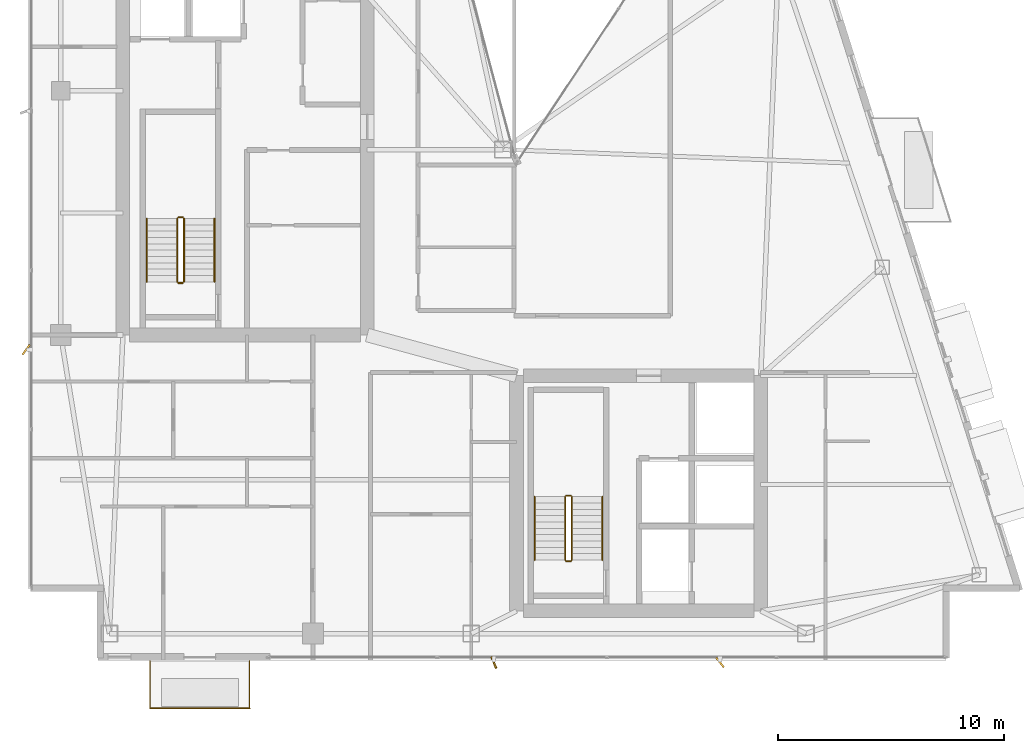
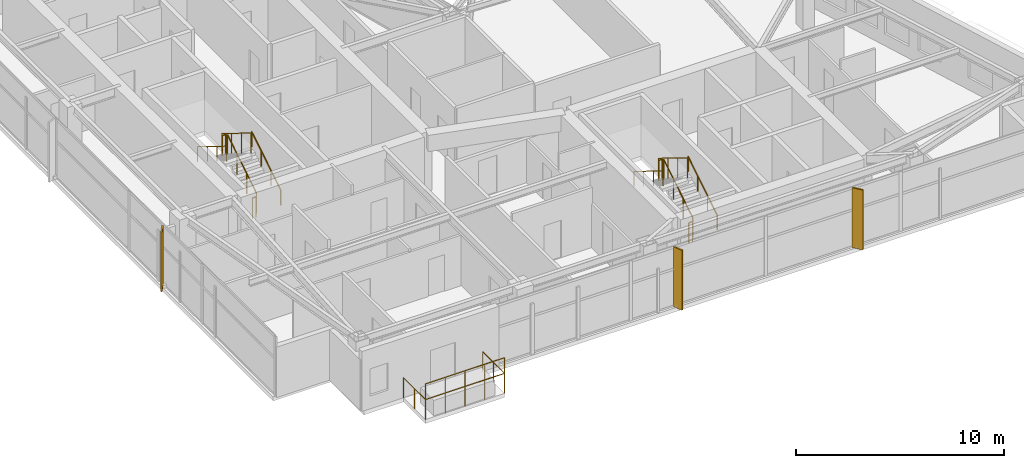
# One storey, part 26 of 27: 14 railings, 3 shading devices.
"""IFC4 building model written with IfcOpenShell, lengths in metres."""

from ifc_helpers import new_model, si_unit, direction, frame, origin, origin_2d, place, context, subcontext, project, spatial, rectangle, circle, extrude, material, type_object, element, save


model = new_model("IFC4")

# Units and contexts
model_context = context("Model", 3, precision=1e-05, world=origin(), true_north=direction((0.0, 1.0)))
body_context = subcontext(model_context, "Body", "Model", "MODEL_VIEW")
ifc_project = project(units=[si_unit("LENGTHUNIT", "METRE"), si_unit("AREAUNIT", "SQUARE_METRE"), si_unit("VOLUMEUNIT", "CUBIC_METRE"), si_unit("PLANEANGLEUNIT", "RADIAN"), si_unit("MASSUNIT", "GRAM", prefix="KILO")], contexts=[model_context])

# Site, building, storey
site_placement = place(None, origin())
site = spatial("IfcSite", under=ifc_project, at=site_placement, CompositionType="ELEMENT")
building_placement = place(site_placement, origin())
building = spatial("IfcBuilding", under=site, at=building_placement, Name="Calvorn Quay Hotel", CompositionType="ELEMENT")
storey_placement = place(building_placement, frame((0.0, 0.0, 278.699951171875)))
storey = spatial("IfcBuildingStorey", under=building, at=storey_placement, Name="L69", CompositionType="ELEMENT", Elevation=278.699951171875)

# Railings
ifc_material_1 = material(Name="Pale Anodised Aluminium and Laminated Glass", Category="aluminium")
railing_type_1 = type_object("IfcRailingType", Name="RLG-BALUSTRADE-1200", PredefinedType="BALUSTRADE", material=ifc_material_1)
railing_1_placement = place(storey_placement, frame((5.39990234375, 2.389892578125, 0.0)))
element("IfcRailing", 1, at=railing_1_placement, inside=storey, type_object=railing_type_1, Name="Tree Balcony Perimeter Balustrade L69-BALC-S", PredefinedType="BALUSTRADE", context=body_context, shape_type="SweptSolid", body=[
    extrude(circle(Radius=0.02392578125, at=origin_2d()), frame((0.0, 0.0, 1.17578125), z_axis=(0.0, -1.0, 0.0), x_axis=(1.0, 0.0, 0.0)), (0.0, 0.0, 1.0), 2.099853515625),
    extrude(circle(Radius=0.02392578125, at=origin_2d()), frame((0.0, -2.099853515625, 1.17578125), z_axis=(1.0, 0.0, 0.0), x_axis=(0.0, 1.0, 0.0)), (0.0, 0.0, 1.0), 4.400146484375),
    extrude(circle(Radius=0.02392578125, at=origin_2d()), frame((4.400146484375, -2.099853515625, 1.17578125), z_axis=(0.0, 1.0, 0.0), x_axis=(-1.0, 0.0, 0.0)), (0.0, 0.0, 1.0), 2.099853515625),
    extrude(circle(Radius=0.02099609375, at=origin_2d()), origin(), (0.0, 0.0, 1.0), 1.15185546875),
    extrude(circle(Radius=0.02099609375, at=origin_2d()), frame((0.0, -1.0498046875, 0.0)), (0.0, 0.0, 1.0), 1.15185546875),
    extrude(circle(Radius=0.02099609375, at=origin_2d()), frame((0.0, -2.099853515625, 0.0)), (0.0, 0.0, 1.0), 1.15185546875),
    extrude(circle(Radius=0.02099609375, at=origin_2d()), frame((1.10009765625, -2.099853515625, 0.0)), (0.0, 0.0, 1.0), 1.15185546875),
    extrude(circle(Radius=0.02099609375, at=origin_2d()), frame((2.2001953125, -2.099853515625, 0.0)), (0.0, 0.0, 1.0), 1.15185546875),
    extrude(circle(Radius=0.02099609375, at=origin_2d()), frame((3.300048828125, -2.099853515625, 0.0)), (0.0, 0.0, 1.0), 1.15185546875),
    extrude(circle(Radius=0.02099609375, at=origin_2d()), frame((4.400146484375, -2.099853515625, 0.0)), (0.0, 0.0, 1.0), 1.15185546875),
    extrude(circle(Radius=0.02099609375, at=origin_2d()), frame((4.400146484375, -1.0498046875, 0.0)), (0.0, 0.0, 1.0), 1.15185546875),
    extrude(circle(Radius=0.02099609375, at=origin_2d()), frame((4.400146484375, 0.0, 0.0)), (0.0, 0.0, 1.0), 1.15185546875),
])
railing_2_placement = place(storey_placement, frame((5.39990234375, 0.2900390625, 0.900146484375)))
element("IfcRailing", 2, at=railing_2_placement, inside=storey, type_object=railing_type_1, Name="Planter Kerb High Safety Screen L69-BALC-S", PredefinedType="BALUSTRADE", context=body_context, shape_type="SweptSolid", body=[
    extrude(circle(Radius=0.02392578125, at=origin_2d()), frame((0.0, 0.0, 1.19580078125), z_axis=(1.0, 0.0, 0.0), x_axis=(0.0, 1.0, 0.0)), (0.0, 0.0, 1.0), 4.400146484375),
    extrude(circle(Radius=0.02099609375, at=origin_2d()), origin(), (0.0, 0.0, 1.0), 1.171875),
    extrude(circle(Radius=0.02099609375, at=origin_2d()), frame((1.10009765625, 0.0, 0.0)), (0.0, 0.0, 1.0), 1.171875),
    extrude(circle(Radius=0.02099609375, at=origin_2d()), frame((2.2001953125, 0.0, 0.0)), (0.0, 0.0, 1.0), 1.171875),
    extrude(circle(Radius=0.02099609375, at=origin_2d()), frame((3.300048828125, 0.0, 0.0)), (0.0, 0.0, 1.0), 1.171875),
    extrude(circle(Radius=0.02099609375, at=origin_2d()), frame((4.400146484375, 0.0, 0.0)), (0.0, 0.0, 1.0), 1.171875),
])
ifc_material_2 = material(Name="Brushed Stainless Steel Handrail", Category="steel")
railing_type_2 = type_object("IfcRailingType", Name="RLG-HANDRAIL-900", PredefinedType="HANDRAIL", material=ifc_material_2)
railing_3_placement = place(storey_placement, frame((8.25, 19.14990234375, 0.1728515625)))
element("IfcRailing", 3, at=railing_3_placement, inside=storey, type_object=railing_type_2, Name="L69 ST-W stair handrail 1", PredefinedType="HANDRAIL", context=body_context, shape_type="SweptSolid", body=[
    extrude(circle(Radius=0.02392578125, at=origin_2d()), frame((0.0, 0.0, 0.8759765625), z_axis=(0.0, 0.851089632645, 0.525020415988), x_axis=(-1.0, 0.0, 0.0)), (0.0, 0.0, 1.0), 3.2900390625),
    extrude(circle(Radius=0.02099609375, at=origin_2d()), origin(), (0.0, 0.0, 1.0), 0.851806640625),
    extrude(circle(Radius=0.02099609375, at=origin_2d()), frame((0.0, 0.933349609375, 0.57568359375)), (0.0, 0.0, 1.0), 0.851806640625),
    extrude(circle(Radius=0.02099609375, at=origin_2d()), frame((0.0, 1.86669921875, 1.151611328125)), (0.0, 0.0, 1.0), 0.851806640625),
    extrude(circle(Radius=0.02099609375, at=origin_2d()), frame((0.0, 2.800048828125, 1.727294921875)), (0.0, 0.0, 1.0), 0.851806640625),
])
railing_4_placement = place(storey_placement, frame((5.25, 21.949951171875, 2.07275390625)))
element("IfcRailing", 4, at=railing_4_placement, inside=storey, type_object=railing_type_2, Name="L69 ST-W stair handrail 2", PredefinedType="HANDRAIL", context=body_context, shape_type="SweptSolid", body=[
    extrude(circle(Radius=0.02392578125, at=origin_2d()), frame((0.0, 0.0, 0.8759765625), z_axis=(0.0, -0.851089632645, 0.525020415988), x_axis=(1.0, 0.0, 0.0)), (0.0, 0.0, 1.0), 3.2900390625),
    extrude(circle(Radius=0.02099609375, at=origin_2d()), origin(), (0.0, 0.0, 1.0), 0.851806640625),
    extrude(circle(Radius=0.02099609375, at=origin_2d()), frame((0.0, -0.933349609375, 0.57568359375)), (0.0, 0.0, 1.0), 0.851806640625),
    extrude(circle(Radius=0.02099609375, at=origin_2d()), frame((0.0, -1.86669921875, 1.151611328125)), (0.0, 0.0, 1.0), 0.851806640625),
    extrude(circle(Radius=0.02099609375, at=origin_2d()), frame((0.0, -2.800048828125, 1.727294921875)), (0.0, 0.0, 1.0), 0.851806640625),
])
railing_5_placement = place(storey_placement, frame((25.39990234375, 6.85009765625, 0.1728515625)))
element("IfcRailing", 5, at=railing_5_placement, inside=storey, type_object=railing_type_2, Name="L69 ST-E stair handrail 1", PredefinedType="HANDRAIL", context=body_context, shape_type="SweptSolid", body=[
    extrude(circle(Radius=0.02392578125, at=origin_2d()), frame((0.0, 0.0, 0.8759765625), z_axis=(0.0, 0.851069175582, 0.525053576669), x_axis=(-1.0, 0.0, 0.0)), (0.0, 0.0, 1.0), 3.289794921875),
    extrude(circle(Radius=0.02099609375, at=origin_2d()), origin(), (0.0, 0.0, 1.0), 0.851806640625),
    extrude(circle(Radius=0.02099609375, at=origin_2d()), frame((0.0, 0.933349609375, 0.57568359375)), (0.0, 0.0, 1.0), 0.851806640625),
    extrude(circle(Radius=0.02099609375, at=origin_2d()), frame((0.0, 1.866455078125, 1.151611328125)), (0.0, 0.0, 1.0), 0.851806640625),
    extrude(circle(Radius=0.02099609375, at=origin_2d()), frame((0.0, 2.7998046875, 1.727294921875)), (0.0, 0.0, 1.0), 0.851806640625),
])
railing_6_placement = place(storey_placement, frame((22.39990234375, 9.64990234375, 2.07275390625)))
element("IfcRailing", 6, at=railing_6_placement, inside=storey, type_object=railing_type_2, Name="L69 ST-E stair handrail 2", PredefinedType="HANDRAIL", context=body_context, shape_type="SweptSolid", body=[
    extrude(circle(Radius=0.02392578125, at=origin_2d()), frame((0.0, 0.0, 0.8759765625), z_axis=(0.0, -0.851069175582, 0.525053576669), x_axis=(1.0, 0.0, 0.0)), (0.0, 0.0, 1.0), 3.289794921875),
    extrude(circle(Radius=0.02099609375, at=origin_2d()), origin(), (0.0, 0.0, 1.0), 0.851806640625),
    extrude(circle(Radius=0.02099609375, at=origin_2d()), frame((0.0, -0.933349609375, 0.57568359375)), (0.0, 0.0, 1.0), 0.851806640625),
    extrude(circle(Radius=0.02099609375, at=origin_2d()), frame((0.0, -1.866455078125, 1.151611328125)), (0.0, 0.0, 1.0), 0.851806640625),
    extrude(circle(Radius=0.02099609375, at=origin_2d()), frame((0.0, -2.7998046875, 1.727294921875)), (0.0, 0.0, 1.0), 0.851806640625),
])
ifc_material_3 = material(Name="Painted Galvanised Steel Balustrade", Category="steel")
railing_type_3 = type_object("IfcRailingType", Name="RLG-STAIR-GUARD-1120", PredefinedType="GUARDRAIL", material=ifc_material_3)
railing_7_placement = place(storey_placement, frame((6.89990234375, 19.14990234375, 0.1728515625)))
element("IfcRailing", 7, at=railing_7_placement, inside=storey, type_object=railing_type_3, Name="L69 ST-W stair guard 1", PredefinedType="GUARDRAIL", context=body_context, shape_type="SweptSolid", body=[
    extrude(circle(Radius=0.02392578125, at=origin_2d()), frame((0.0, 0.0, 1.17578125), z_axis=(0.0, 0.851089632645, 0.525020415988), x_axis=(-1.0, 0.0, 0.0)), (0.0, 0.0, 1.0), 3.2900390625),
    extrude(circle(Radius=0.02099609375, at=origin_2d()), origin(), (0.0, 0.0, 1.0), 1.15185546875),
    extrude(circle(Radius=0.02099609375, at=origin_2d()), frame((0.0, 0.933349609375, 0.57568359375)), (0.0, 0.0, 1.0), 1.15185546875),
    extrude(circle(Radius=0.02099609375, at=origin_2d()), frame((0.0, 1.86669921875, 1.151611328125)), (0.0, 0.0, 1.0), 1.15185546875),
    extrude(circle(Radius=0.02099609375, at=origin_2d()), frame((0.0, 2.800048828125, 1.727294921875)), (0.0, 0.0, 1.0), 1.15185546875),
])
railing_8_placement = place(storey_placement, frame((6.85009765625, 22.0, 1.900146484375)))
element("IfcRailing", 8, at=railing_8_placement, inside=storey, type_object=railing_type_3, Name="L69 ST-W stair guard 2", PredefinedType="GUARDRAIL", context=body_context, shape_type="SweptSolid", body=[
    extrude(circle(Radius=0.02392578125, at=origin_2d()), frame((0.0, 0.0, 1.17578125), z_axis=(-1.0, 0.0, 0.0), x_axis=(0.0, -1.0, 0.0)), (0.0, 0.0, 1.0), 0.2001953125),
    extrude(circle(Radius=0.02099609375, at=origin_2d()), origin(), (0.0, 0.0, 1.0), 1.15185546875),
    extrude(circle(Radius=0.02099609375, at=origin_2d()), frame((-0.2001953125, 0.0, 0.0)), (0.0, 0.0, 1.0), 1.15185546875),
])
railing_9_placement = place(storey_placement, frame((6.60009765625, 21.949951171875, 2.07275390625)))
element("IfcRailing", 9, at=railing_9_placement, inside=storey, type_object=railing_type_3, Name="L69 ST-W stair guard 3", PredefinedType="GUARDRAIL", context=body_context, shape_type="SweptSolid", body=[
    extrude(circle(Radius=0.02392578125, at=origin_2d()), frame((0.0, 0.0, 1.17578125), z_axis=(0.0, -0.851089632645, 0.525020415988), x_axis=(1.0, 0.0, 0.0)), (0.0, 0.0, 1.0), 3.2900390625),
    extrude(circle(Radius=0.02099609375, at=origin_2d()), origin(), (0.0, 0.0, 1.0), 1.15185546875),
    extrude(circle(Radius=0.02099609375, at=origin_2d()), frame((0.0, -0.933349609375, 0.57568359375)), (0.0, 0.0, 1.0), 1.15185546875),
    extrude(circle(Radius=0.02099609375, at=origin_2d()), frame((0.0, -1.86669921875, 1.151611328125)), (0.0, 0.0, 1.0), 1.15185546875),
    extrude(circle(Radius=0.02099609375, at=origin_2d()), frame((0.0, -2.800048828125, 1.727294921875)), (0.0, 0.0, 1.0), 1.15185546875),
])
railing_10_placement = place(storey_placement, frame((6.85009765625, 19.10009765625, 0.0)))
element("IfcRailing", 10, at=railing_10_placement, inside=storey, type_object=railing_type_3, Name="L69 ST-W stair guard 4", PredefinedType="GUARDRAIL", context=body_context, shape_type="SweptSolid", body=[
    extrude(circle(Radius=0.02392578125, at=origin_2d()), frame((0.0, 0.0, 1.17578125), z_axis=(-1.0, 0.0, 0.0), x_axis=(0.0, -1.0, 0.0)), (0.0, 0.0, 1.0), 0.2001953125),
    extrude(circle(Radius=0.02099609375, at=origin_2d()), origin(), (0.0, 0.0, 1.0), 1.15185546875),
    extrude(circle(Radius=0.02099609375, at=origin_2d()), frame((-0.2001953125, 0.0, 0.0)), (0.0, 0.0, 1.0), 1.15185546875),
])
railing_11_placement = place(storey_placement, frame((24.050048828125, 6.85009765625, 0.1728515625)))
element("IfcRailing", 11, at=railing_11_placement, inside=storey, type_object=railing_type_3, Name="L69 ST-E stair guard 1", PredefinedType="GUARDRAIL", context=body_context, shape_type="SweptSolid", body=[
    extrude(circle(Radius=0.02392578125, at=origin_2d()), frame((0.0, 0.0, 1.17578125), z_axis=(0.0, 0.851069175582, 0.525053576669), x_axis=(-1.0, 0.0, 0.0)), (0.0, 0.0, 1.0), 3.289794921875),
    extrude(circle(Radius=0.02099609375, at=origin_2d()), origin(), (0.0, 0.0, 1.0), 1.15185546875),
    extrude(circle(Radius=0.02099609375, at=origin_2d()), frame((0.0, 0.933349609375, 0.57568359375)), (0.0, 0.0, 1.0), 1.15185546875),
    extrude(circle(Radius=0.02099609375, at=origin_2d()), frame((0.0, 1.866455078125, 1.151611328125)), (0.0, 0.0, 1.0), 1.15185546875),
    extrude(circle(Radius=0.02099609375, at=origin_2d()), frame((0.0, 2.7998046875, 1.727294921875)), (0.0, 0.0, 1.0), 1.15185546875),
])
railing_12_placement = place(storey_placement, frame((24.0, 9.699951171875, 1.900146484375)))
element("IfcRailing", 12, at=railing_12_placement, inside=storey, type_object=railing_type_3, Name="L69 ST-E stair guard 2", PredefinedType="GUARDRAIL", context=body_context, shape_type="SweptSolid", body=[
    extrude(circle(Radius=0.02392578125, at=origin_2d()), frame((0.0, 0.0, 1.17578125), z_axis=(-1.0, 0.0, 0.0), x_axis=(0.0, -1.0, 0.0)), (0.0, 0.0, 1.0), 0.199951171875),
    extrude(circle(Radius=0.02099609375, at=origin_2d()), origin(), (0.0, 0.0, 1.0), 1.15185546875),
    extrude(circle(Radius=0.02099609375, at=origin_2d()), frame((-0.199951171875, 0.0, 0.0)), (0.0, 0.0, 1.0), 1.15185546875),
])
railing_13_placement = place(storey_placement, frame((23.75, 9.64990234375, 2.07275390625)))
element("IfcRailing", 13, at=railing_13_placement, inside=storey, type_object=railing_type_3, Name="L69 ST-E stair guard 3", PredefinedType="GUARDRAIL", context=body_context, shape_type="SweptSolid", body=[
    extrude(circle(Radius=0.02392578125, at=origin_2d()), frame((0.0, 0.0, 1.17578125), z_axis=(0.0, -0.851069175582, 0.525053576669), x_axis=(1.0, 0.0, 0.0)), (0.0, 0.0, 1.0), 3.289794921875),
    extrude(circle(Radius=0.02099609375, at=origin_2d()), origin(), (0.0, 0.0, 1.0), 1.15185546875),
    extrude(circle(Radius=0.02099609375, at=origin_2d()), frame((0.0, -0.933349609375, 0.57568359375)), (0.0, 0.0, 1.0), 1.15185546875),
    extrude(circle(Radius=0.02099609375, at=origin_2d()), frame((0.0, -1.866455078125, 1.151611328125)), (0.0, 0.0, 1.0), 1.15185546875),
    extrude(circle(Radius=0.02099609375, at=origin_2d()), frame((0.0, -2.7998046875, 1.727294921875)), (0.0, 0.0, 1.0), 1.15185546875),
])
railing_14_placement = place(storey_placement, frame((24.0, 6.800048828125, 0.0)))
element("IfcRailing", 14, at=railing_14_placement, inside=storey, type_object=railing_type_3, Name="L69 ST-E stair guard 4", PredefinedType="GUARDRAIL", context=body_context, shape_type="SweptSolid", body=[
    extrude(circle(Radius=0.02392578125, at=origin_2d()), frame((0.0, 0.0, 1.17578125), z_axis=(-1.0, 0.0, 0.0), x_axis=(0.0, -1.0, 0.0)), (0.0, 0.0, 1.0), 0.199951171875),
    extrude(circle(Radius=0.02099609375, at=origin_2d()), origin(), (0.0, 0.0, 1.0), 1.15185546875),
    extrude(circle(Radius=0.02099609375, at=origin_2d()), frame((-0.199951171875, 0.0, 0.0)), (0.0, 0.0, 1.0), 1.15185546875),
])

# Shading devices
ifc_material_4 = material(Name="Champagne Bronze Anodised Aluminium 6063-T6", Category="aluminium")
shading_device_type_1 = type_object("IfcShadingDeviceType", Name="SHD-FIN-A1", PredefinedType="USERDEFINED", material=ifc_material_4)
shading_device_1_placement = place(storey_placement, frame((20.60009765625, 2.320068359375, 0.0), z_axis=(0.0, 0.0, 1.0), x_axis=(-0.374606593416, 0.927183854567, 0.0)))
element("IfcShadingDevice", 15, at=shading_device_1_placement, inside=storey, type_object=shading_device_type_1, Name="Diagonal Sun-Shading Fin L69-S01", ObjectType="FIN", PredefinedType="USERDEFINED", context=body_context, shape_type="SweptSolid", body=[
    extrude(rectangle(XDim=0.550048828125, YDim=0.080078125, at=origin_2d()), origin(), (0.0, 0.0, 1.0), 3.52001953125),
])
ifc_material_5 = material(Name="Champagne Bronze Anodised Aluminium 6063-T6", Category="aluminium")
shading_device_type_2 = type_object("IfcShadingDeviceType", Name="SHD-FIN-A2", PredefinedType="USERDEFINED", material=ifc_material_5)
shading_device_2_placement = place(storey_placement, frame((30.60009765625, 2.320068359375, 0.0), z_axis=(0.0, 0.0, 1.0), x_axis=(-0.615661475326, 0.788010753607, 0.0)))
element("IfcShadingDevice", 16, at=shading_device_2_placement, inside=storey, type_object=shading_device_type_2, Name="Diagonal Sun-Shading Fin L69-S02", ObjectType="FIN", PredefinedType="USERDEFINED", context=body_context, shape_type="SweptSolid", body=[
    extrude(rectangle(XDim=0.550048828125, YDim=0.080078125, at=origin_2d()), origin(), (0.0, 0.0, 1.0), 3.52001953125),
])
ifc_material_6 = material(Name="Champagne Bronze Anodised Aluminium 6063-T6", Category="aluminium")
shading_device_type_3 = type_object("IfcShadingDeviceType", Name="SHD-FIN-A3", PredefinedType="USERDEFINED", material=ifc_material_6)
shading_device_3_placement = place(storey_placement, frame((-0.080078125, 16.14990234375, 0.0), z_axis=(0.0, 0.0, 1.0), x_axis=(0.587785252292, 0.809016994375, 0.0)))
element("IfcShadingDevice", 17, at=shading_device_3_placement, inside=storey, type_object=shading_device_type_3, Name="Diagonal Sun-Shading Fin L69-W01", ObjectType="FIN", PredefinedType="USERDEFINED", context=body_context, shape_type="SweptSolid", body=[
    extrude(rectangle(XDim=0.550048828125, YDim=0.080078125, at=origin_2d()), origin(), (0.0, 0.0, 1.0), 3.52001953125),
])

save(model, "model.ifc")
